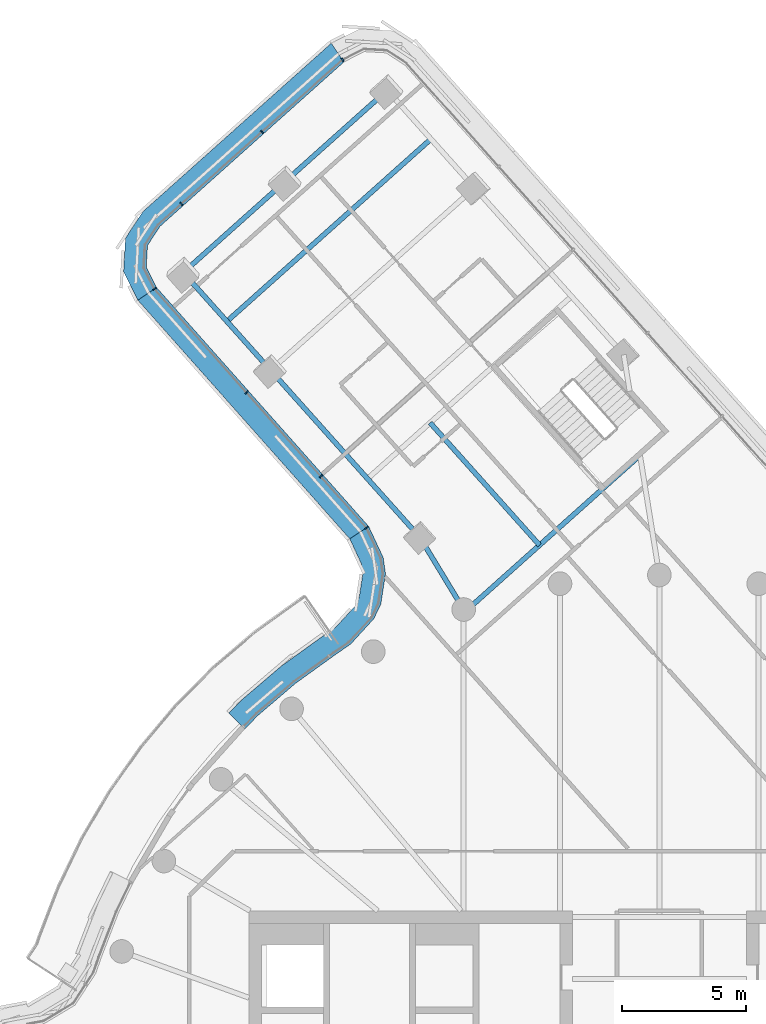
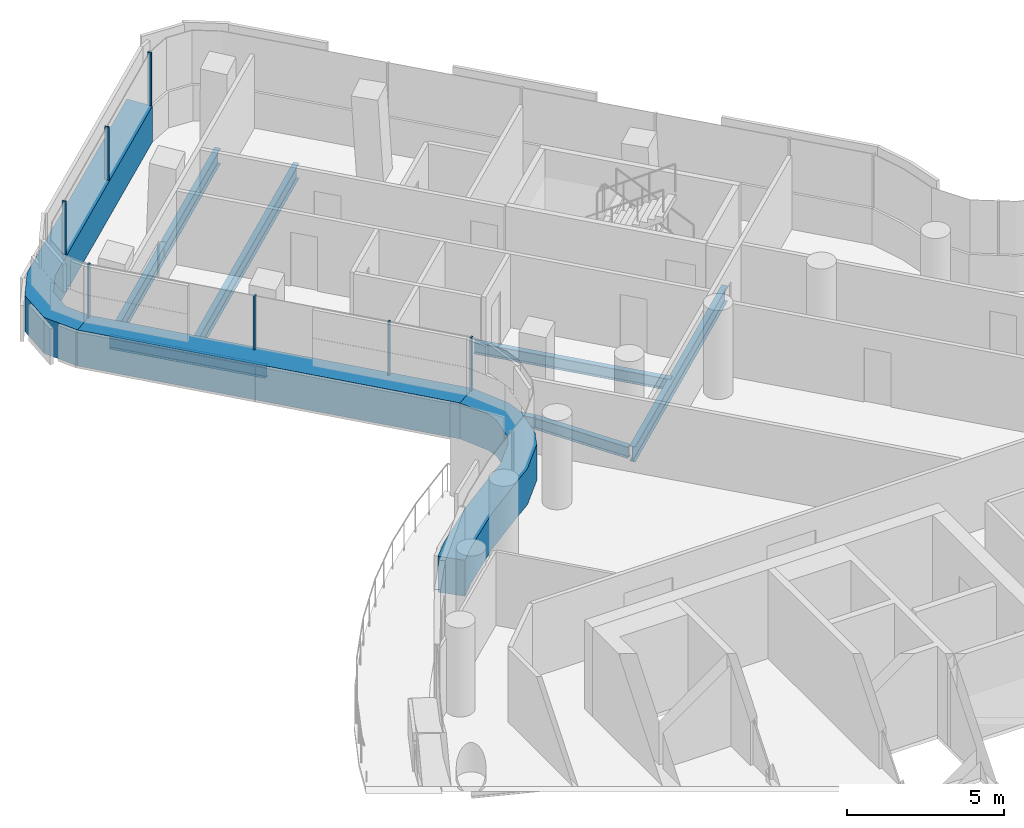
# One storey, part 15 of 33: 10 members, 8 beams, 3 elements without a shape of their own.
"""IFC4 building model written with IfcOpenShell, lengths in metres."""

import ifcopenshell
import ifcopenshell.guid

model = None  # the IFC model being written
_history = None  # IfcOwnerHistory: only IFC2X3 demands one
_inside = {}  # id of a spatial element -> (the spatial element, [elements in it])
_under = {}  # id of a project, library or spatial element -> (it, [spatial elements below it])
_declared = {}  # id of a project -> (the project, [libraries it declares])
_typed = {}  # id of a type object -> (the type object, [elements of that type])
_made_of = {}  # id of a material, layer set ... -> (it, [elements and type objects made of it])


def new_model(schema):
    """Start an empty IFC model of exactly this schema.

    Asked for "IFC4X3", IfcOpenShell would pick the latest addendum, in which some entities
    have other attributes; the version numbers below select the first issue.
    IFC2X3 requires an IfcOwnerHistory on every rooted entity: one is made here for all.
    """
    global model, _history
    if schema == "IFC4X3":
        model = ifcopenshell.file(schema_version=(4, 3, 0, 0))
    else:
        model = ifcopenshell.file(schema=schema)
    _inside.clear()
    _under.clear()
    _declared.clear()
    _typed.clear()
    _made_of.clear()
    _history = None
    if model.schema == "IFC2X3":
        org = make("IfcOrganization", Name="unknown")
        user = make(
            "IfcPersonAndOrganization",
            ThePerson=make("IfcPerson", FamilyName="unknown"),
            TheOrganization=org,
        )
        app = make(
            "IfcApplication",
            ApplicationDeveloper=org,
            Version="unknown",
            ApplicationFullName="unknown",
            ApplicationIdentifier="unknown",
        )
        _history = make(
            "IfcOwnerHistory",
            OwningUser=user,
            OwningApplication=app,
            ChangeAction="ADDED",
            CreationDate=0,
        )
    return model


def make(cls, **values):
    """One entity of the class cls with the attributes given. An attribute that is None is left unset."""
    return model.create_entity(
        cls, **{name: value for name, value in values.items() if value is not None}
    )


def rooted(cls, **values):
    """An entity with a GlobalId (a new one), such as an element, a storey or a relation."""
    return make(cls, GlobalId=ifcopenshell.guid.new(), OwnerHistory=_history, **values)


def si_unit(unit_type, name, prefix=None):
    """IfcSIUnit, for example si_unit("LENGTHUNIT", "METRE", prefix="MILLI")."""
    return make("IfcSIUnit", UnitType=unit_type, Prefix=prefix, Name=name)


def assignment(units):
    """IfcUnitAssignment: the units of a project."""
    return None if units is None else make("IfcUnitAssignment", Units=units)


def point(xyz):
    """IfcCartesianPoint."""
    return None if xyz is None else make("IfcCartesianPoint", Coordinates=xyz)


def direction(xyz):
    """IfcDirection."""
    return None if xyz is None else make("IfcDirection", DirectionRatios=xyz)


def frame(location, z_axis=None, x_axis=None):
    """IfcAxis2Placement3D, a coordinate frame: its origin and axes. An axis left out is left unset."""
    return make(
        "IfcAxis2Placement3D",
        Location=point(location),
        Axis=direction(z_axis),
        RefDirection=direction(x_axis),
    )


def frame_2d(location, x_axis=None):
    """IfcAxis2Placement2D, a coordinate frame in the plane: its origin and x axis."""
    return make(
        "IfcAxis2Placement2D", Location=point(location), RefDirection=direction(x_axis)
    )


def origin():
    """The frame at (0, 0, 0) with its axes left unset."""
    return frame((0.0, 0.0, 0.0))


def origin_2d():
    """The frame at (0, 0) in the plane with its x axis left unset."""
    return frame_2d((0.0, 0.0))


def place(relative_to, where):
    """IfcLocalPlacement: puts the frame where relative to a parent placement (None: the world)."""
    return make(
        "IfcLocalPlacement", PlacementRelTo=relative_to, RelativePlacement=where
    )


def context(
    kind, dimensions, precision=None, world=None, true_north=None, identifier=None
):
    """IfcGeometricRepresentationContext, for example the 3D "Model" context."""
    return make(
        "IfcGeometricRepresentationContext",
        ContextIdentifier=identifier,
        ContextType=kind,
        CoordinateSpaceDimension=dimensions,
        Precision=precision,
        WorldCoordinateSystem=world,
        TrueNorth=true_north,
    )


def subcontext(parent, identifier, kind, view, scale=None):
    """IfcGeometricRepresentationSubContext, for example "Body" below "Model"."""
    return make(
        "IfcGeometricRepresentationSubContext",
        ContextIdentifier=identifier,
        ContextType=kind,
        ParentContext=parent,
        TargetScale=scale,
        TargetView=view,
    )


def project(units=None, contexts=None):
    """IfcProject with its units and contexts."""
    return rooted(
        "IfcProject",
        Name="project",
        RepresentationContexts=contexts,
        UnitsInContext=assignment(units),
    )


def spatial(cls, under=None, at=None, **own):
    """A site, building, storey or space (cls), placed at a placement, below another one or the project."""
    s = rooted(cls, ObjectPlacement=at, **own)
    if under is not None:
        _under.setdefault(under.id(), (under, []))[1].append(s)
    return s


def polyline(points):
    """IfcPolyline through the points."""
    return make("IfcPolyline", Points=[point(p) for p in points])


def profile(cls, at=None, kind="AREA", **sizes):
    """A parametric profile (cls). Its sizes go by their IFC names, for example OverallWidth=200.0."""
    return make(cls, ProfileType=kind, Position=at, **sizes)


def rectangle(**sizes):
    """IfcRectangleProfileDef."""
    return profile("IfcRectangleProfileDef", **sizes)


def i_section(**sizes):
    """IfcIShapeProfileDef."""
    return profile("IfcIShapeProfileDef", **sizes)


def outline(outer, holes=None, kind="AREA"):
    """IfcArbitraryClosedProfileDef: a profile drawn as a closed curve; with holes, ...WithVoids."""
    if holes is None:
        return make("IfcArbitraryClosedProfileDef", ProfileType=kind, OuterCurve=outer)
    return make(
        "IfcArbitraryProfileDefWithVoids",
        ProfileType=kind,
        OuterCurve=outer,
        InnerCurves=holes,
    )


def extrude(swept, where, along, depth):
    """IfcExtrudedAreaSolid: the profile swept, set in the frame where, extruded along a direction by depth."""
    return make(
        "IfcExtrudedAreaSolid",
        SweptArea=swept,
        Position=where,
        ExtrudedDirection=direction(along),
        Depth=depth,
    )


def shape(context_of_items, identifier, shape_type, items):
    """IfcShapeRepresentation: the items that make up one representation, for example the "Body"."""
    return make(
        "IfcShapeRepresentation",
        ContextOfItems=context_of_items,
        RepresentationIdentifier=identifier,
        RepresentationType=shape_type,
        Items=items,
    )


def material(Name=None, Category=None):
    """IfcMaterial."""
    return make("IfcMaterial", Name=Name, Category=Category)


def layer(
    of_material, thickness, ventilated=None, Name=None, Category=None, Priority=None
):
    """IfcMaterialLayer: one layer of a wall or slab, of a material (None: an air gap)."""
    return make(
        "IfcMaterialLayer",
        Material=of_material,
        LayerThickness=thickness,
        IsVentilated=ventilated,
        Name=Name,
        Category=Category,
        Priority=Priority,
    )


def layer_set(layers, Name=None):
    """IfcMaterialLayerSet."""
    return make("IfcMaterialLayerSet", MaterialLayers=layers, LayerSetName=Name)


def material_profile(
    of_material, cross_section, Name=None, Category=None, Priority=None
):
    """IfcMaterialProfile: a cross section and its material."""
    return make(
        "IfcMaterialProfile",
        Name=Name,
        Material=of_material,
        Profile=cross_section,
        Priority=Priority,
        Category=Category,
    )


def profile_set(profiles, Name=None, composite=None):
    """IfcMaterialProfileSet."""
    return make(
        "IfcMaterialProfileSet",
        Name=Name,
        MaterialProfiles=profiles,
        CompositeProfile=composite,
    )


def made_of(thing, what):
    """Note that an element or type object is made of a material, layer set ...; save() writes the relation."""
    if what is not None:
        _made_of.setdefault(what.id(), (what, []))[1].append(thing)
    return thing


def type_object(cls, material=None, **own):
    """A type object (cls), such as IfcWallType, which elements share."""
    return made_of(rooted(cls, **own), material)


def element(
    cls,
    number,
    at=None,
    inside=None,
    cuts=None,
    type_object=None,
    material=None,
    context=None,
    identifier="Body",
    shape_type=None,
    held_by="IfcProductDefinitionShape",
    body=None,
    shapes=None,
    **own,
):
    """One element of the class cls, such as IfcWall. Its Tag is "e" and its number.

    at: its placement. inside: the storey or other place that contains it. cuts: it is an
    opening in that element (IfcRelVoidsElement). A single representation is given by context,
    identifier, shape_type and body (its items); several are given by shapes. held_by: the class
    of the entity that holds the representations. save() writes the other relations.
    """
    e = rooted(cls, Tag="e%d" % number, ObjectPlacement=at, **own)
    if body is not None:
        shapes = [shape(context, identifier, shape_type, body)]
    if shapes is not None:
        e.Representation = make(held_by, Representations=shapes)
    if inside is not None:
        _inside.setdefault(inside.id(), (inside, []))[1].append(e)
    if cuts is not None:
        rooted(
            "IfcRelVoidsElement", RelatingBuildingElement=cuts, RelatedOpeningElement=e
        )
    if type_object is not None:
        _typed.setdefault(type_object.id(), (type_object, []))[1].append(e)
    return made_of(e, material)


def aggregate(whole, parts):
    """IfcRelAggregates: a whole, such as a stair, and the parts it consists of."""
    return rooted("IfcRelAggregates", RelatingObject=whole, RelatedObjects=parts)


def save(model, path):
    """Write the relations noted so far, then the file.

    IfcRelAggregates (storeys below a building ...), IfcRelContainedInSpatialStructure (elements
    in a storey), IfcRelDefinesByType, IfcRelAssociatesMaterial and IfcRelDeclares: one each for
    every whole, place, type object, material and project.
    """
    for whole, parts in _under.values():
        aggregate(whole, parts)
    for where, things in _inside.values():
        rooted(
            "IfcRelContainedInSpatialStructure",
            RelatedElements=things,
            RelatingStructure=where,
        )
    for kind, things in _typed.values():
        rooted("IfcRelDefinesByType", RelatedObjects=things, RelatingType=kind)
    for what, things in _made_of.values():
        rooted("IfcRelAssociatesMaterial", RelatedObjects=things, RelatingMaterial=what)
    for by, libraries in _declared.values():
        rooted("IfcRelDeclares", RelatingContext=by, RelatedDefinitions=libraries)
    model.write(path)


model = new_model("IFC4")

# Units and contexts
model_context = context("Model", 3, precision=1e-05, world=origin(), true_north=direction((0.0, 1.0)))
body_context = subcontext(model_context, "Body", "Model", "MODEL_VIEW")
ifc_project = project(units=[si_unit("LENGTHUNIT", "METRE"), si_unit("AREAUNIT", "SQUARE_METRE"), si_unit("VOLUMEUNIT", "CUBIC_METRE"), si_unit("PLANEANGLEUNIT", "RADIAN"), si_unit("MASSUNIT", "GRAM", prefix="KILO")], contexts=[model_context])

# Site, building, storey
site_placement = place(None, origin())
site = spatial("IfcSite", under=ifc_project, at=site_placement, CompositionType="ELEMENT")
building_placement = place(site_placement, origin())
building = spatial("IfcBuilding", under=site, at=building_placement, Name="Tamarind Cross Interchange Tower", CompositionType="ELEMENT")
storey_placement = place(building_placement, frame((0.0, 0.0, 186.10009765625)))
storey = spatial("IfcBuildingStorey", under=building, at=storey_placement, Name="L46", CompositionType="ELEMENT", Elevation=186.10009765625)

# Beams
ifc_material_1 = material(Name="Steel Q355B", Category="steel")
ifc_material_profile_1 = material_profile(ifc_material_1, i_section(OverallWidth=0.198974609375, OverallDepth=0.446044921875, WebThickness=0.008056640625, FlangeThickness=0.011962890625, FilletRadius=0.012939453125, at=origin_2d()), Name="HN 446x199x8x12")
ifc_profile_set_1 = profile_set([ifc_material_profile_1], Name="Steel Q355B")
beam_type_1 = type_object("IfcBeamType", Name="Composite beam HN 446x199x8x12 Q355B", PredefinedType="BEAM", material=ifc_profile_set_1)
beam_1_placement = place(storey_placement, frame((-19.138916015625, 35.15869140625, -0.363037109375), z_axis=(0.666424773134, -0.745572278021, 0.0), x_axis=(0.745572278021, 0.666424773134, 0.0)))
element("IfcBeam", 1, at=beam_1_placement, inside=storey, type_object=beam_type_1, Name="Beam N-edgeep2", PredefinedType="BEAM", context=body_context, shape_type="SweptSolid", body=[
    extrude(i_section(OverallWidth=0.198974609375, OverallDepth=0.446044921875, WebThickness=0.008056640625, FlangeThickness=0.011962890625, FilletRadius=0.012939453125, at=origin_2d()), origin(), (0.0, 0.0, 1.0), 5.265380859375),
])
beam_2_placement = place(storey_placement, frame((-15.6298828125, 31.23291015625, -0.363037109375), z_axis=(0.666433989532, -0.745564039903, 0.0), x_axis=(0.745564039903, 0.666433989532, 0.0)))
element("IfcBeam", 2, at=beam_2_placement, inside=storey, type_object=beam_type_1, Name="Beam N-edgeep3", PredefinedType="BEAM", context=body_context, shape_type="SweptSolid", body=[
    extrude(i_section(OverallWidth=0.198974609375, OverallDepth=0.446044921875, WebThickness=0.008056640625, FlangeThickness=0.011962890625, FilletRadius=0.012939453125, at=origin_2d()), origin(), (0.0, 0.0, 1.0), 8.999755859375),
])
beam_3_placement = place(storey_placement, frame((-9.632080078125, 24.52294921875, -0.363037109375), z_axis=(0.518740400761, -0.854931808168, 0.0), x_axis=(0.854931808168, 0.518740400761, 0.0)))
element("IfcBeam", 3, at=beam_3_placement, inside=storey, type_object=beam_type_1, Name="Beam N-linkep", PredefinedType="BEAM", context=body_context, shape_type="SweptSolid", body=[
    extrude(i_section(OverallWidth=0.198974609375, OverallDepth=0.446044921875, WebThickness=0.008056640625, FlangeThickness=0.011962890625, FilletRadius=0.012939453125, at=origin_2d()), origin(), (0.0, 0.0, 1.0), 3.403564453125),
])
beam_4_placement = place(storey_placement, frame((-4.81640625, 24.199951171875, -0.363037109375), z_axis=(-0.666436876651, 0.745561459197, 0.0), x_axis=(-0.745561459197, -0.666436876651, 0.0)))
element("IfcBeam", 4, at=beam_4_placement, inside=storey, type_object=beam_type_1, Name="Beam N-stripp", PredefinedType="BEAM", context=body_context, shape_type="SweptSolid", body=[
    extrude(i_section(OverallWidth=0.198974609375, OverallDepth=0.446044921875, WebThickness=0.008056640625, FlangeThickness=0.011962890625, FilletRadius=0.012939453125, at=origin_2d()), origin(), (0.0, 0.0, 1.0), 6.599853515625),
])
ifc_material_profile_2 = material_profile(ifc_material_1, i_section(OverallWidth=0.198974609375, OverallDepth=0.595947265625, WebThickness=0.010009765625, FlangeThickness=0.014892578125, FilletRadius=0.012939453125, at=origin_2d()), Name="HN 596x199x10x15")
ifc_profile_set_2 = profile_set([ifc_material_profile_2], Name="Steel Q355B")
beam_type_2 = type_object("IfcBeamType", Name="Composite beam HN 596x199x10x15 Q355B", PredefinedType="BEAM", material=ifc_profile_set_2)
beam_5_placement = place(storey_placement, frame((-10.9375, 42.489501953125, -0.43798828125), z_axis=(-0.745569755737, -0.666427594965, 0.0), x_axis=(0.666427594965, -0.745569755737, 0.0)))
element("IfcBeam", 5, at=beam_5_placement, inside=storey, type_object=beam_type_2, Name="Beam N-tip0", PredefinedType="BEAM", context=body_context, shape_type="SweptSolid", body=[
    extrude(i_section(OverallWidth=0.198974609375, OverallDepth=0.595947265625, WebThickness=0.010009765625, FlangeThickness=0.014892578125, FilletRadius=0.012939453125, at=origin_2d()), origin(), (0.0, 0.0, 1.0), 5.500244140625),
])
beam_6_placement = place(storey_placement, frame((-15.038330078125, 38.823974609375, -0.43798828125), z_axis=(-0.745572096965, -0.666424975693, 0.0), x_axis=(0.666424975693, -0.745572096965, 0.0)))
element("IfcBeam", 6, at=beam_6_placement, inside=storey, type_object=beam_type_2, Name="Beam N-tip1", PredefinedType="BEAM", context=body_context, shape_type="SweptSolid", body=[
    extrude(i_section(OverallWidth=0.198974609375, OverallDepth=0.595947265625, WebThickness=0.010009765625, FlangeThickness=0.014892578125, FilletRadius=0.012939453125, at=origin_2d()), origin(), (0.0, 0.0, 1.0), 5.5),
])
beam_7_placement = place(storey_placement, frame((-0.77734375, 27.810302734375, -0.43798828125), z_axis=(-0.745566735266, -0.666430974119, 0.0), x_axis=(0.666430974119, -0.745566735266, 0.0)))
element("IfcBeam", 7, at=beam_7_placement, inside=storey, type_object=beam_type_2, Name="Beam N-x268", PredefinedType="BEAM", context=body_context, shape_type="SweptSolid", body=[
    extrude(i_section(OverallWidth=0.198974609375, OverallDepth=0.595947265625, WebThickness=0.010009765625, FlangeThickness=0.014892578125, FilletRadius=0.012939453125, at=origin_2d()), origin(), (0.0, 0.0, 1.0), 9.415771484375),
])
beam_8_placement = place(storey_placement, frame((-9.18310546875, 40.526611328125, -0.43798828125), z_axis=(-0.745561069078, -0.666437313087, 0.0), x_axis=(0.666437313087, -0.745561069078, 0.0)))
element("IfcBeam", 8, at=beam_8_placement, inside=storey, type_object=beam_type_2, Name="Beam N-x419", PredefinedType="BEAM", context=body_context, shape_type="SweptSolid", body=[
    extrude(i_section(OverallWidth=0.198974609375, OverallDepth=0.595947265625, WebThickness=0.010009765625, FlangeThickness=0.014892578125, FilletRadius=0.012939453125, at=origin_2d()), origin(), (0.0, 0.0, 1.0), 11.0),
])

# Curtain wall, member
ifc_material_2 = material(Name="Aluminium 6063-T6", Category="aluminium")
ifc_layer = layer(ifc_material_2, 0.139892578125)
ifc_layer_set = layer_set([ifc_layer], Name="Aluminium 6063-T6")
curtain_wall_type = type_object("IfcCurtainWallType", Name="Hotel curtain wall, 4.5 m bays", PredefinedType="NOTDEFINED", material=ifc_layer_set)
curtain_wall_1_placement = place(storey_placement, origin())
curtain_wall_1 = element("IfcCurtainWall", 9, at=curtain_wall_1_placement, inside=storey, type_object=curtain_wall_type, Name="CWS-L46-08", PredefinedType="NOTDEFINED")
ifc_material_3 = material(Name="Aluminium and insulated spandrel panel", Category="aluminium")
member_type_1 = type_object("IfcMemberType", Name="Floor-edge blade transom", PredefinedType="USERDEFINED", material=ifc_material_3)
member_1_placement = place(storey_placement, origin())
member_1 = element("IfcMember", 10, at=member_1_placement, type_object=member_type_1, Name="CWT-L46-08", ObjectType="TRANSOM", PredefinedType="USERDEFINED", context=body_context, shape_type="SweptSolid", body=[
    extrude(outline(polyline([(-12.677734375, 43.626708984375), (-20.074462890625, 37.014892578125), (-20.575927734375, 36.2490234375), (-20.624755859375, 35.3759765625), (-20.2119140625, 34.558349609375), (-20.962646484375, 34.04833984375), (-21.536865234375, 35.185546875), (-21.4609375, 36.540283203125), (-20.7626953125, 37.60693359375), (-13.189208984375, 44.37646484375), (-12.677734375, 43.626708984375)])), origin(), (0.0, 0.0, 1.0), 1.39990234375),
])

curtain_wall_2_placement = place(storey_placement, origin())
curtain_wall_2 = element("IfcCurtainWall", 11, at=curtain_wall_2_placement, inside=storey, type_object=curtain_wall_type, Name="CWS-L46-09", PredefinedType="NOTDEFINED")
member_2_placement = place(storey_placement, origin())
member_2 = element("IfcMember", 12, at=member_2_placement, type_object=member_type_1, Name="CWT-L46-09", ObjectType="TRANSOM", PredefinedType="USERDEFINED", context=body_context, shape_type="SweptSolid", body=[
    extrude(outline(polyline([(-20.2119140625, 34.558349609375), (-11.684814453125, 24.954833984375), (-12.4453125, 24.45556640625), (-20.962646484375, 34.04833984375), (-20.2119140625, 34.558349609375)])), origin(), (0.0, 0.0, 1.0), 1.39990234375),
])

curtain_wall_3_placement = place(storey_placement, origin())
curtain_wall_3 = element("IfcCurtainWall", 13, at=curtain_wall_3_placement, inside=storey, type_object=curtain_wall_type, Name="CWS-L46-10", PredefinedType="NOTDEFINED")
member_3_placement = place(storey_placement, origin())
member_3 = element("IfcMember", 14, at=member_3_placement, type_object=member_type_1, Name="CWT-L46-10-0", ObjectType="TRANSOM", PredefinedType="USERDEFINED", context=body_context, shape_type="SweptSolid", body=[
    extrude(outline(polyline([(-11.684814453125, 24.954833984375), (-11.1015625, 23.701171875), (-11.0087890625, 23.052490234375), (-11.19580078125, 21.832275390625), (-11.478271484375, 21.240966796875), (-12.403564453125, 20.226806640625), (-13.03759765625, 19.786865234375), (-14.634521484375, 18.636474609375), (-16.12353515625, 17.3642578125), (-16.6728515625, 16.810302734375), (-17.306640625, 17.44921875), (-16.736572265625, 18.0244140625), (-15.19091796875, 19.344970703125), (-13.557373046875, 20.52197265625), (-13.0, 20.908447265625), (-12.23291015625, 21.749267578125), (-12.065185546875, 22.10009765625), (-11.918701171875, 23.05712890625), (-11.9736328125, 23.442138671875), (-12.4453125, 24.45556640625), (-11.684814453125, 24.954833984375)])), origin(), (0.0, 0.0, 1.0), 1.39990234375),
])

# Member
ifc_material_profile_3 = material_profile(ifc_material_2, rectangle(XDim=0.06005859375, YDim=0.139892578125, at=origin_2d()), Name="Mullion CW2")
ifc_profile_set_3 = profile_set([ifc_material_profile_3], Name="Aluminium 6063-T6")
member_type_2 = type_object("IfcMemberType", Name="Mullion CW2", PredefinedType="MULLION", material=ifc_profile_set_3)
member_4_placement = place(storey_placement, frame((-12.734375, 43.7099609375, 1.39990234375), z_axis=(0.0, 0.0, 1.0), x_axis=(-0.826176969523, -0.563410698363, 0.0)))
member_4 = element("IfcMember", 15, at=member_4_placement, type_object=member_type_2, Name="CWM-L46-08-00", PredefinedType="MULLION", context=body_context, shape_type="SweptSolid", body=[
    extrude(rectangle(XDim=0.06005859375, YDim=0.139892578125, at=origin_2d()), origin(), (0.0, 0.0, 1.0), 2.06005859375),
])

member_5_placement = place(storey_placement, frame((-15.974365234375, 40.81396484375, 1.39990234375), z_axis=(0.0, 0.0, 1.0), x_axis=(-0.745569057905, -0.666428375667, 0.0)))
member_5 = element("IfcMember", 16, at=member_5_placement, type_object=member_type_2, Name="CWM-L46-08-01", PredefinedType="MULLION", context=body_context, shape_type="SweptSolid", body=[
    extrude(rectangle(XDim=0.06005859375, YDim=0.139892578125, at=origin_2d()), origin(), (0.0, 0.0, 1.0), 2.06005859375),
])

member_6_placement = place(storey_placement, frame((-19.21435546875, 37.91796875, 1.39990234375), z_axis=(0.0, 0.0, 1.0), x_axis=(-0.745569057905, -0.666428375667, 0.0)))
member_6 = element("IfcMember", 17, at=member_6_placement, type_object=member_type_2, Name="CWM-L46-08-02", PredefinedType="MULLION", context=body_context, shape_type="SweptSolid", body=[
    extrude(rectangle(XDim=0.06005859375, YDim=0.139892578125, at=origin_2d()), origin(), (0.0, 0.0, 1.0), 2.06005859375),
])

aggregate(curtain_wall_1, [member_4, member_5, member_6, member_1])

member_7_placement = place(storey_placement, frame((-20.29541015625, 34.501708984375, 1.39990234375), z_axis=(0.0, 0.0, 1.0), x_axis=(0.562038563381, -0.827111028383, 0.0)))
member_7 = element("IfcMember", 18, at=member_7_placement, type_object=member_type_2, Name="CWM-L46-09-00", PredefinedType="MULLION", context=body_context, shape_type="SweptSolid", body=[
    extrude(rectangle(XDim=0.06005859375, YDim=0.139892578125, at=origin_2d()), origin(), (0.0, 0.0, 1.0), 2.06005859375),
])

member_8_placement = place(storey_placement, frame((-16.59423828125, 30.333251953125, 1.39990234375), z_axis=(0.0, 0.0, 1.0), x_axis=(0.663949588874, -0.747777335464, 0.0)))
member_8 = element("IfcMember", 19, at=member_8_placement, type_object=member_type_2, Name="CWM-L46-09-01", PredefinedType="MULLION", context=body_context, shape_type="SweptSolid", body=[
    extrude(rectangle(XDim=0.06005859375, YDim=0.139892578125, at=origin_2d()), origin(), (0.0, 0.0, 1.0), 2.06005859375),
])

member_9_placement = place(storey_placement, frame((-13.605712890625, 26.967529296875, 1.39990234375), z_axis=(0.0, 0.0, 1.0), x_axis=(0.663949588874, -0.747777335464, 0.0)))
member_9 = element("IfcMember", 20, at=member_9_placement, type_object=member_type_2, Name="CWM-L46-09-02", PredefinedType="MULLION", context=body_context, shape_type="SweptSolid", body=[
    extrude(rectangle(XDim=0.06005859375, YDim=0.139892578125, at=origin_2d()), origin(), (0.0, 0.0, 1.0), 2.06005859375),
])

aggregate(curtain_wall_2, [member_7, member_8, member_9, member_2])

member_10_placement = place(storey_placement, frame((-11.769287109375, 24.8994140625, 1.39990234375), z_axis=(0.0, 0.0, 1.0), x_axis=(0.54873130055, -0.835998779782, 0.0)))
member_10 = element("IfcMember", 21, at=member_10_placement, type_object=member_type_2, Name="CWM-L46-10-00", PredefinedType="MULLION", context=body_context, shape_type="SweptSolid", body=[
    extrude(rectangle(XDim=0.06005859375, YDim=0.139892578125, at=origin_2d()), origin(), (0.0, 0.0, 1.0), 2.06005859375),
])

aggregate(curtain_wall_3, [member_10, member_3])

save(model, "model.ifc")
